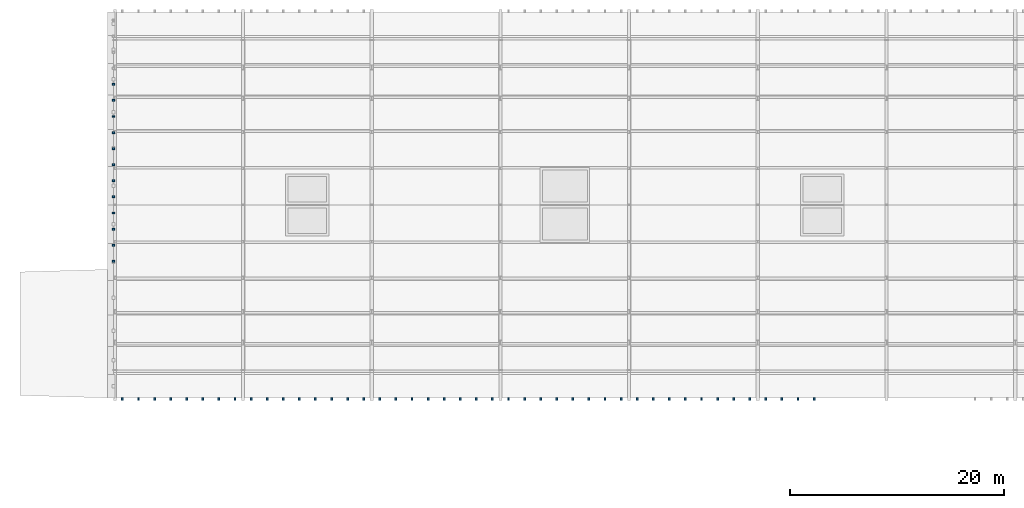
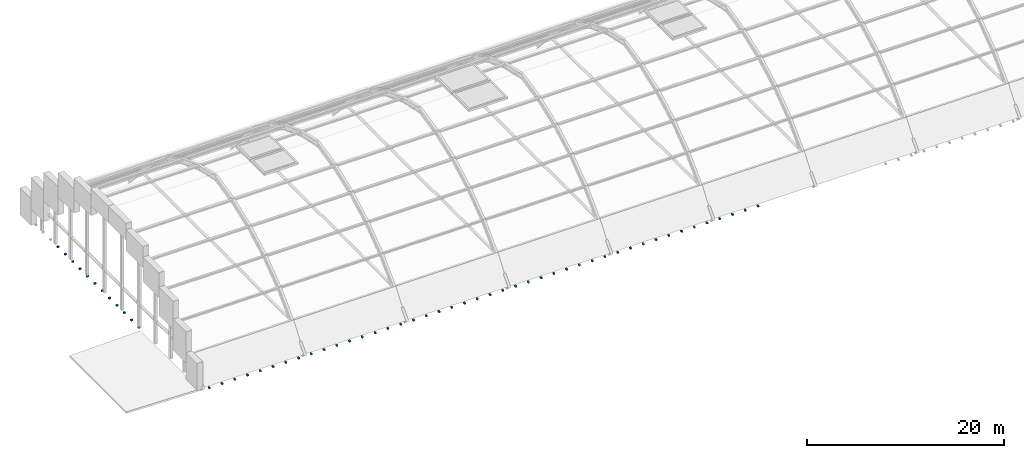
# One storey, part 21 of 35: 56 discrete accessories.
"""IFC4 building model written with IfcOpenShell, lengths in metres."""

from ifc_helpers import new_model, si_unit, direction, frame, origin, origin_2d, place, context, subcontext, project, spatial, rectangle, extrude, material, type_object, element, save


model = new_model("IFC4")

# Units and contexts
model_context = context("Model", 3, precision=1e-05, world=origin(), true_north=direction((0.0, 1.0)))
body_context = subcontext(model_context, "Body", "Model", "MODEL_VIEW")
ifc_project = project(units=[si_unit("LENGTHUNIT", "METRE"), si_unit("AREAUNIT", "SQUARE_METRE"), si_unit("VOLUMEUNIT", "CUBIC_METRE"), si_unit("PLANEANGLEUNIT", "RADIAN"), si_unit("MASSUNIT", "GRAM", prefix="KILO")], contexts=[model_context])

# Site, building, storey
site_placement = place(None, origin())
site = spatial("IfcSite", under=ifc_project, at=site_placement, CompositionType="ELEMENT")
building_placement = place(site_placement, origin())
building = spatial("IfcBuilding", under=site, at=building_placement, Name="Zlatogorsky Bluff Art Gallery", CompositionType="ELEMENT")
storey_placement = place(building_placement, frame((0.0, 0.0, 23.39990234375)))
storey = spatial("IfcBuildingStorey", under=building, at=storey_placement, Name="L04", CompositionType="ELEMENT", Elevation=23.39990234375)

# Discrete accessories
ifc_material = material(Name="Steel S355", Category="steel")
discrete_accessory_type = type_object("IfcDiscreteAccessoryType", Name="Stainless Facade Fin Bracket BRK-01", PredefinedType="BRACKET", material=ifc_material)
for number, where, z_axis, x_axis, name in (
    (1, (0.75, 83.919921875, -0.22998046875), (0.0, 0.0, 1.0), (1.0, 0.0, 0.0), "Fin slab-edge bracket S.001.L04"),
    (2, (2.25, 83.919921875, -0.22998046875), (0.0, 0.0, 1.0), (1.0, 0.0, 0.0), "Fin slab-edge bracket S.002.L04"),
    (3, (3.75, 83.919921875, -0.22998046875), (0.0, 0.0, 1.0), (1.0, 0.0, 0.0), "Fin slab-edge bracket S.003.L04"),
    (4, (5.25, 83.919921875, -0.22998046875), (0.0, 0.0, 1.0), (1.0, 0.0, 0.0), "Fin slab-edge bracket S.004.L04"),
    (5, (6.75, 83.919921875, -0.22998046875), (0.0, 0.0, 1.0), (1.0, 0.0, 0.0), "Fin slab-edge bracket S.005.L04"),
    (6, (8.25, 83.919921875, -0.22998046875), (0.0, 0.0, 1.0), (1.0, 0.0, 0.0), "Fin slab-edge bracket S.006.L04"),
    (7, (9.75, 83.919921875, -0.22998046875), (0.0, 0.0, 1.0), (1.0, 0.0, 0.0), "Fin slab-edge bracket S.007.L04"),
    (8, (11.25, 83.919921875, -0.22998046875), (0.0, 0.0, 1.0), (1.0, 0.0, 0.0), "Fin slab-edge bracket S.008.L04"),
    (9, (12.75, 83.919921875, -0.22998046875), (0.0, 0.0, 1.0), (1.0, 0.0, 0.0), "Fin slab-edge bracket S.009.L04"),
    (10, (14.25, 83.919921875, -0.22998046875), (0.0, 0.0, 1.0), (1.0, 0.0, 0.0), "Fin slab-edge bracket S.010.L04"),
    (11, (15.75, 83.919921875, -0.22998046875), (0.0, 0.0, 1.0), (1.0, 0.0, 0.0), "Fin slab-edge bracket S.011.L04"),
    (12, (17.25, 83.919921875, -0.22998046875), (0.0, 0.0, 1.0), (1.0, 0.0, 0.0), "Fin slab-edge bracket S.012.L04"),
    (13, (18.75, 83.919921875, -0.22998046875), (0.0, 0.0, 1.0), (1.0, 0.0, 0.0), "Fin slab-edge bracket S.013.L04"),
    (14, (20.25, 83.919921875, -0.22998046875), (0.0, 0.0, 1.0), (1.0, 0.0, 0.0), "Fin slab-edge bracket S.014.L04"),
    (15, (21.75, 83.919921875, -0.22998046875), (0.0, 0.0, 1.0), (1.0, 0.0, 0.0), "Fin slab-edge bracket S.015.L04"),
    (16, (23.25, 83.919921875, -0.22998046875), (0.0, 0.0, 1.0), (1.0, 0.0, 0.0), "Fin slab-edge bracket S.016.L04"),
    (17, (24.75, 83.919921875, -0.22998046875), (0.0, 0.0, 1.0), (1.0, 0.0, 0.0), "Fin slab-edge bracket S.017.L04"),
    (18, (26.25, 83.919921875, -0.22998046875), (0.0, 0.0, 1.0), (1.0, 0.0, 0.0), "Fin slab-edge bracket S.018.L04"),
    (19, (27.75, 83.919921875, -0.22998046875), (0.0, 0.0, 1.0), (1.0, 0.0, 0.0), "Fin slab-edge bracket S.019.L04"),
    (20, (29.25, 83.919921875, -0.22998046875), (0.0, 0.0, 1.0), (1.0, 0.0, 0.0), "Fin slab-edge bracket S.020.L04"),
    (21, (30.75, 83.919921875, -0.22998046875), (0.0, 0.0, 1.0), (1.0, 0.0, 0.0), "Fin slab-edge bracket S.021.L04"),
    (22, (32.25, 83.919921875, -0.22998046875), (0.0, 0.0, 1.0), (1.0, 0.0, 0.0), "Fin slab-edge bracket S.022.L04"),
    (23, (33.75, 83.919921875, -0.22998046875), (0.0, 0.0, 1.0), (1.0, 0.0, 0.0), "Fin slab-edge bracket S.023.L04"),
    (24, (35.25, 83.919921875, -0.22998046875), (0.0, 0.0, 1.0), (1.0, 0.0, 0.0), "Fin slab-edge bracket S.024.L04"),
    (25, (36.75, 83.919921875, -0.22998046875), (0.0, 0.0, 1.0), (1.0, 0.0, 0.0), "Fin slab-edge bracket S.025.L04"),
    (26, (38.25, 83.919921875, -0.22998046875), (0.0, 0.0, 1.0), (1.0, 0.0, 0.0), "Fin slab-edge bracket S.026.L04"),
    (27, (39.75, 83.919921875, -0.22998046875), (0.0, 0.0, 1.0), (1.0, 0.0, 0.0), "Fin slab-edge bracket S.027.L04"),
    (28, (41.25, 83.919921875, -0.22998046875), (0.0, 0.0, 1.0), (1.0, 0.0, 0.0), "Fin slab-edge bracket S.028.L04"),
    (29, (42.75, 83.919921875, -0.22998046875), (0.0, 0.0, 1.0), (1.0, 0.0, 0.0), "Fin slab-edge bracket S.029.L04"),
    (30, (44.25, 83.919921875, -0.22998046875), (0.0, 0.0, 1.0), (1.0, 0.0, 0.0), "Fin slab-edge bracket S.030.L04"),
    (31, (45.75, 83.919921875, -0.22998046875), (0.0, 0.0, 1.0), (1.0, 0.0, 0.0), "Fin slab-edge bracket S.031.L04"),
    (32, (47.25, 83.919921875, -0.22998046875), (0.0, 0.0, 1.0), (1.0, 0.0, 0.0), "Fin slab-edge bracket S.032.L04"),
    (33, (48.75, 83.919921875, -0.22998046875), (0.0, 0.0, 1.0), (1.0, 0.0, 0.0), "Fin slab-edge bracket S.033.L04"),
    (34, (50.25, 83.919921875, -0.22998046875), (0.0, 0.0, 1.0), (1.0, 0.0, 0.0), "Fin slab-edge bracket S.034.L04"),
    (35, (51.75, 83.919921875, -0.22998046875), (0.0, 0.0, 1.0), (1.0, 0.0, 0.0), "Fin slab-edge bracket S.035.L04"),
    (36, (53.25, 83.919921875, -0.22998046875), (0.0, 0.0, 1.0), (1.0, 0.0, 0.0), "Fin slab-edge bracket S.036.L04"),
    (37, (54.75, 83.919921875, -0.22998046875), (0.0, 0.0, 1.0), (1.0, 0.0, 0.0), "Fin slab-edge bracket S.037.L04"),
    (38, (56.25, 83.919921875, -0.22998046875), (0.0, 0.0, 1.0), (1.0, 0.0, 0.0), "Fin slab-edge bracket S.038.L04"),
    (39, (57.75, 83.919921875, -0.22998046875), (0.0, 0.0, 1.0), (1.0, 0.0, 0.0), "Fin slab-edge bracket S.039.L04"),
    (40, (59.25, 83.919921875, -0.22998046875), (0.0, 0.0, 1.0), (1.0, 0.0, 0.0), "Fin slab-edge bracket S.040.L04"),
    (41, (60.75, 83.919921875, -0.22998046875), (0.0, 0.0, 1.0), (1.0, 0.0, 0.0), "Fin slab-edge bracket S.041.L04"),
    (42, (62.25, 83.919921875, -0.22998046875), (0.0, 0.0, 1.0), (1.0, 0.0, 0.0), "Fin slab-edge bracket S.042.L04"),
    (43, (63.75, 83.919921875, -0.22998046875), (0.0, 0.0, 1.0), (1.0, 0.0, 0.0), "Fin slab-edge bracket S.043.L04"),
    (44, (65.25, 83.919921875, -0.22998046875), (0.0, 0.0, 1.0), (1.0, 0.0, 0.0), "Fin slab-edge bracket S.044.L04"),
):
    element("IfcDiscreteAccessory", number, at=place(storey_placement, frame(where, z_axis=z_axis, x_axis=x_axis)), inside=storey, type_object=discrete_accessory_type, Name=name, PredefinedType="BRACKET", context=body_context, shape_type="SweptSolid", body=[
        extrude(rectangle(XDim=0.179931640625, YDim=0.239990234375, at=origin_2d()), origin(), (0.0, 0.0, 1.0), 0.179931640625),
    ])
for number, where, z_axis, x_axis, name in (
    (45, (-0.080078125, 96.75, -0.22998046875), (0.0, 0.0, 1.0), (1.0, 0.0, 0.0), "Fin slab-edge bracket W.144.L04"),
    (46, (-0.080078125, 98.25, -0.22998046875), (0.0, 0.0, 1.0), (1.0, 0.0, 0.0), "Fin slab-edge bracket W.145.L04"),
    (47, (-0.080078125, 99.75, -0.22998046875), (0.0, 0.0, 1.0), (1.0, 0.0, 0.0), "Fin slab-edge bracket W.146.L04"),
    (48, (-0.080078125, 101.25, -0.22998046875), (0.0, 0.0, 1.0), (1.0, 0.0, 0.0), "Fin slab-edge bracket W.147.L04"),
    (49, (-0.080078125, 102.75, -0.22998046875), (0.0, 0.0, 1.0), (1.0, 0.0, 0.0), "Fin slab-edge bracket W.148.L04"),
    (50, (-0.080078125, 104.25, -0.22998046875), (0.0, 0.0, 1.0), (1.0, 0.0, 0.0), "Fin slab-edge bracket W.149.L04"),
    (51, (-0.080078125, 105.75, -0.22998046875), (0.0, 0.0, 1.0), (1.0, 0.0, 0.0), "Fin slab-edge bracket W.150.L04"),
    (52, (-0.080078125, 107.25, -0.22998046875), (0.0, 0.0, 1.0), (1.0, 0.0, 0.0), "Fin slab-edge bracket W.151.L04"),
    (53, (-0.080078125, 108.75, -0.22998046875), (0.0, 0.0, 1.0), (1.0, 0.0, 0.0), "Fin slab-edge bracket W.152.L04"),
    (54, (-0.080078125, 110.25, -0.22998046875), (0.0, 0.0, 1.0), (1.0, 0.0, 0.0), "Fin slab-edge bracket W.153.L04"),
    (55, (-0.080078125, 111.75, -0.22998046875), (0.0, 0.0, 1.0), (1.0, 0.0, 0.0), "Fin slab-edge bracket W.154.L04"),
    (56, (-0.080078125, 113.25, -0.22998046875), (0.0, 0.0, 1.0), (1.0, 0.0, 0.0), "Fin slab-edge bracket W.155.L04"),
):
    element("IfcDiscreteAccessory", number, at=place(storey_placement, frame(where, z_axis=z_axis, x_axis=x_axis)), inside=storey, type_object=discrete_accessory_type, Name=name, PredefinedType="BRACKET", context=body_context, shape_type="SweptSolid", body=[
        extrude(rectangle(XDim=0.239990234375, YDim=0.179931640625, at=origin_2d()), origin(), (0.0, 0.0, 1.0), 0.179931640625),
    ])

save(model, "model.ifc")
